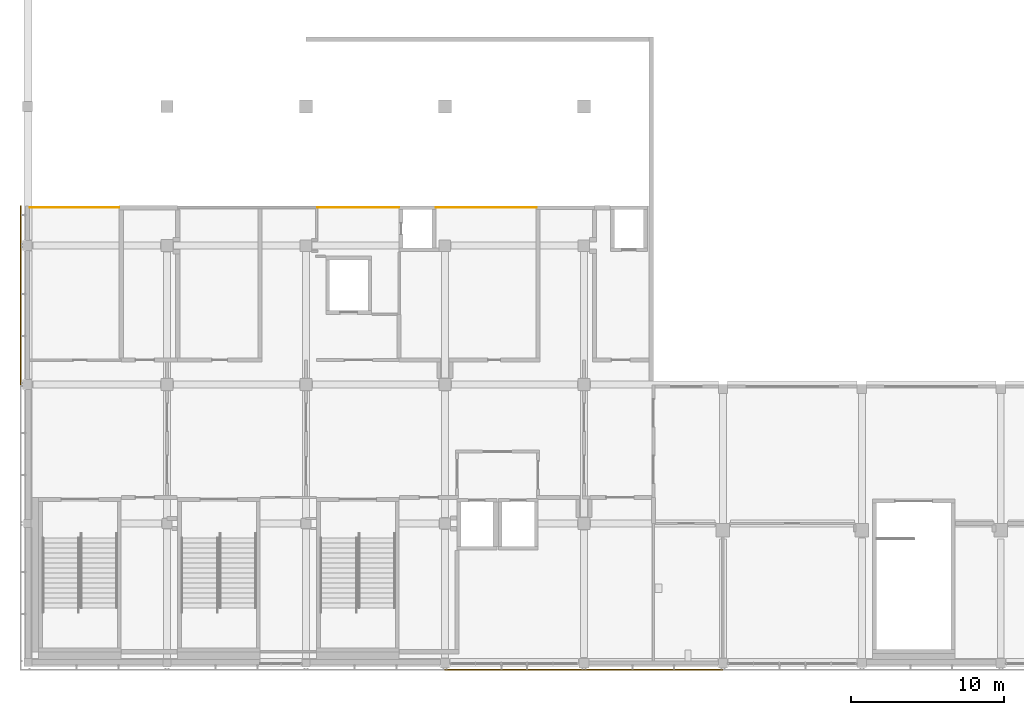
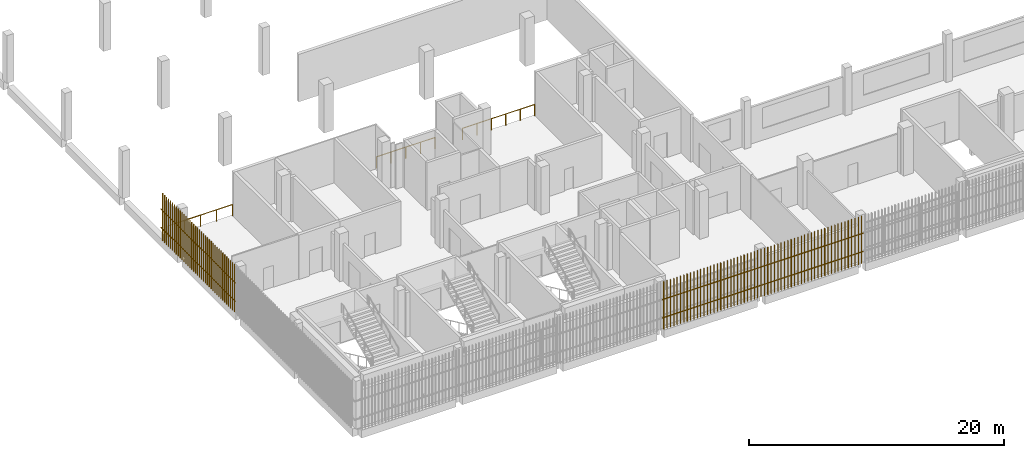
# One storey, part 89 of 104: 4 shading devices, 3 railings.
"""IFC4 building model written with IfcOpenShell, lengths in metres."""

from ifc_helpers import new_model, si_unit, direction, frame, origin, origin_2d, place, context, subcontext, project, spatial, rectangle, circle, extrude, material, type_object, element, save


model = new_model("IFC4")

# Units and contexts
model_context = context("Model", 3, precision=1e-05, world=origin(), true_north=direction((0.0, 1.0)))
body_context = subcontext(model_context, "Body", "Model", "MODEL_VIEW")
ifc_project = project(units=[si_unit("LENGTHUNIT", "METRE"), si_unit("AREAUNIT", "SQUARE_METRE"), si_unit("VOLUMEUNIT", "CUBIC_METRE"), si_unit("PLANEANGLEUNIT", "RADIAN"), si_unit("MASSUNIT", "GRAM", prefix="KILO")], contexts=[model_context])

# Site, building, storey
site_placement = place(None, origin())
site = spatial("IfcSite", under=ifc_project, at=site_placement, CompositionType="ELEMENT")
building_placement = place(site_placement, origin())
building = spatial("IfcBuilding", under=site, at=building_placement, Name="Shirokan Park Arena", CompositionType="ELEMENT")
storey_placement = place(building_placement, frame((0.0, 0.0, 10.919921875)))
storey = spatial("IfcBuildingStorey", under=building, at=storey_placement, Name="L02", CompositionType="ELEMENT", Elevation=10.919921875)

# Railings
ifc_material_1 = material(Name="Stainless steel", Category="steel")
railing_type = type_object("IfcRailingType", Name="Concourse edge guard 1100", PredefinedType="GUARDRAIL", material=ifc_material_1)
railing_1_placement = place(storey_placement, frame((0.1298828125, 29.800048828125, 0.0)))
element("IfcRailing", 1, at=railing_1_placement, inside=storey, type_object=railing_type, Name="Edge guard L02 1", PredefinedType="GUARDRAIL", context=body_context, shape_type="SweptSolid", body=[
    extrude(circle(Radius=0.02490234375, at=origin_2d()), frame((0.0, 0.0, 1.0771484375), z_axis=(1.0, 0.0, 0.0), x_axis=(0.0, 1.0, 0.0)), (0.0, 0.0, 1.0), 5.83251953125),
    extrude(circle(Radius=0.02490234375, at=origin_2d()), origin(), (0.0, 0.0, 1.0), 1.052001953125),
    extrude(circle(Radius=0.02490234375, at=origin_2d()), frame((1.4580078125, 0.0, 0.0)), (0.0, 0.0, 1.0), 1.052001953125),
    extrude(circle(Radius=0.02490234375, at=origin_2d()), frame((2.916259765625, 0.0, 0.0)), (0.0, 0.0, 1.0), 1.052001953125),
    extrude(circle(Radius=0.02490234375, at=origin_2d()), frame((4.37451171875, 0.0, 0.0)), (0.0, 0.0, 1.0), 1.052001953125),
    extrude(circle(Radius=0.02490234375, at=origin_2d()), frame((5.83251953125, 0.0, 0.0)), (0.0, 0.0, 1.0), 1.052001953125),
])
railing_2_placement = place(storey_placement, frame((18.96240234375, 29.800048828125, 0.0)))
element("IfcRailing", 2, at=railing_2_placement, inside=storey, type_object=railing_type, Name="Edge guard L02 2", PredefinedType="GUARDRAIL", context=body_context, shape_type="SweptSolid", body=[
    extrude(circle(Radius=0.02490234375, at=origin_2d()), frame((0.0, 0.0, 1.0771484375), z_axis=(1.0, 0.0, 0.0), x_axis=(0.0, 1.0, 0.0)), (0.0, 0.0, 1.0), 5.3076171875),
    extrude(circle(Radius=0.02490234375, at=origin_2d()), origin(), (0.0, 0.0, 1.0), 1.052001953125),
    extrude(circle(Radius=0.02490234375, at=origin_2d()), frame((1.326904296875, 0.0, 0.0)), (0.0, 0.0, 1.0), 1.052001953125),
    extrude(circle(Radius=0.02490234375, at=origin_2d()), frame((2.65380859375, 0.0, 0.0)), (0.0, 0.0, 1.0), 1.052001953125),
    extrude(circle(Radius=0.02490234375, at=origin_2d()), frame((3.980712890625, 0.0, 0.0)), (0.0, 0.0, 1.0), 1.052001953125),
    extrude(circle(Radius=0.02490234375, at=origin_2d()), frame((5.3076171875, 0.0, 0.0)), (0.0, 0.0, 1.0), 1.052001953125),
])
railing_3_placement = place(storey_placement, frame((26.72998046875, 29.800048828125, 0.0)))
element("IfcRailing", 3, at=railing_3_placement, inside=storey, type_object=railing_type, Name="Edge guard L02 4", PredefinedType="GUARDRAIL", context=body_context, shape_type="SweptSolid", body=[
    extrude(circle(Radius=0.02490234375, at=origin_2d()), frame((0.0, 0.0, 1.0771484375), z_axis=(1.0, 0.0, 0.0), x_axis=(0.0, 1.0, 0.0)), (0.0, 0.0, 1.0), 6.544921875),
    extrude(circle(Radius=0.02490234375, at=origin_2d()), origin(), (0.0, 0.0, 1.0), 1.052001953125),
    extrude(circle(Radius=0.02490234375, at=origin_2d()), frame((1.30908203125, 0.0, 0.0)), (0.0, 0.0, 1.0), 1.052001953125),
    extrude(circle(Radius=0.02490234375, at=origin_2d()), frame((2.617919921875, 0.0, 0.0)), (0.0, 0.0, 1.0), 1.052001953125),
    extrude(circle(Radius=0.02490234375, at=origin_2d()), frame((3.927001953125, 0.0, 0.0)), (0.0, 0.0, 1.0), 1.052001953125),
    extrude(circle(Radius=0.02490234375, at=origin_2d()), frame((5.23583984375, 0.0, 0.0)), (0.0, 0.0, 1.0), 1.052001953125),
    extrude(circle(Radius=0.02490234375, at=origin_2d()), frame((6.544921875, 0.0, 0.0)), (0.0, 0.0, 1.0), 1.052001953125),
])

# Shading devices
ifc_material_2 = material(Name="Timber louvre veil (cedar)", Category="wood")
shading_device_type = type_object("IfcShadingDeviceType", Name="Timber louvre veil panel", PredefinedType="JALOUSIE", material=ifc_material_2)
shading_device_1_placement = place(storey_placement, origin())
element("IfcShadingDevice", 4, at=shading_device_1_placement, inside=storey, type_object=shading_device_type, Name="Timber louvre veil south bay 4 L02", PredefinedType="JALOUSIE", context=body_context, shape_type="SweptSolid", body=[
    extrude(rectangle(XDim=0.050048828125, YDim=0.080078125, at=origin_2d()), frame((27.45166015625, -0.485107421875, 0.0), z_axis=(0.0, 0.0, 1.0), x_axis=(1.0, 0.0, 0.0)), (0.0, 0.0, 1.0), 4.550048828125),
    extrude(rectangle(XDim=0.050048828125, YDim=0.080078125, at=origin_2d()), frame((27.7548828125, -0.485107421875, 0.0), z_axis=(0.0, 0.0, 1.0), x_axis=(1.0, 0.0, 0.0)), (0.0, 0.0, 1.0), 4.550048828125),
    extrude(rectangle(XDim=0.050048828125, YDim=0.080078125, at=origin_2d()), frame((28.058349609375, -0.485107421875, 0.0), z_axis=(0.0, 0.0, 1.0), x_axis=(1.0, 0.0, 0.0)), (0.0, 0.0, 1.0), 4.550048828125),
    extrude(rectangle(XDim=0.050048828125, YDim=0.080078125, at=origin_2d()), frame((28.361572265625, -0.485107421875, 0.0), z_axis=(0.0, 0.0, 1.0), x_axis=(1.0, 0.0, 0.0)), (0.0, 0.0, 1.0), 4.550048828125),
    extrude(rectangle(XDim=0.050048828125, YDim=0.080078125, at=origin_2d()), frame((28.6650390625, -0.485107421875, 0.0), z_axis=(0.0, 0.0, 1.0), x_axis=(1.0, 0.0, 0.0)), (0.0, 0.0, 1.0), 4.550048828125),
    extrude(rectangle(XDim=0.050048828125, YDim=0.080078125, at=origin_2d()), frame((28.96826171875, -0.485107421875, 0.0), z_axis=(0.0, 0.0, 1.0), x_axis=(1.0, 0.0, 0.0)), (0.0, 0.0, 1.0), 4.550048828125),
    extrude(rectangle(XDim=0.050048828125, YDim=0.080078125, at=origin_2d()), frame((29.271728515625, -0.485107421875, 0.0), z_axis=(0.0, 0.0, 1.0), x_axis=(1.0, 0.0, 0.0)), (0.0, 0.0, 1.0), 4.550048828125),
    extrude(rectangle(XDim=0.050048828125, YDim=0.080078125, at=origin_2d()), frame((29.574951171875, -0.485107421875, 0.0), z_axis=(0.0, 0.0, 1.0), x_axis=(1.0, 0.0, 0.0)), (0.0, 0.0, 1.0), 4.550048828125),
    extrude(rectangle(XDim=0.050048828125, YDim=0.080078125, at=origin_2d()), frame((29.87841796875, -0.485107421875, 0.0), z_axis=(0.0, 0.0, 1.0), x_axis=(1.0, 0.0, 0.0)), (0.0, 0.0, 1.0), 4.550048828125),
    extrude(rectangle(XDim=0.050048828125, YDim=0.080078125, at=origin_2d()), frame((30.181640625, -0.485107421875, 0.0), z_axis=(0.0, 0.0, 1.0), x_axis=(1.0, 0.0, 0.0)), (0.0, 0.0, 1.0), 4.550048828125),
    extrude(rectangle(XDim=0.050048828125, YDim=0.080078125, at=origin_2d()), frame((30.485107421875, -0.485107421875, 0.0), z_axis=(0.0, 0.0, 1.0), x_axis=(1.0, 0.0, 0.0)), (0.0, 0.0, 1.0), 4.550048828125),
    extrude(rectangle(XDim=0.050048828125, YDim=0.080078125, at=origin_2d()), frame((30.788330078125, -0.485107421875, 0.0), z_axis=(0.0, 0.0, 1.0), x_axis=(1.0, 0.0, 0.0)), (0.0, 0.0, 1.0), 4.550048828125),
    extrude(rectangle(XDim=0.050048828125, YDim=0.080078125, at=origin_2d()), frame((31.091552734375, -0.485107421875, 0.0), z_axis=(0.0, 0.0, 1.0), x_axis=(1.0, 0.0, 0.0)), (0.0, 0.0, 1.0), 4.550048828125),
    extrude(rectangle(XDim=0.050048828125, YDim=0.080078125, at=origin_2d()), frame((31.39501953125, -0.485107421875, 0.0), z_axis=(0.0, 0.0, 1.0), x_axis=(1.0, 0.0, 0.0)), (0.0, 0.0, 1.0), 4.550048828125),
    extrude(rectangle(XDim=0.050048828125, YDim=0.080078125, at=origin_2d()), frame((31.6982421875, -0.485107421875, 0.0), z_axis=(0.0, 0.0, 1.0), x_axis=(1.0, 0.0, 0.0)), (0.0, 0.0, 1.0), 4.550048828125),
    extrude(rectangle(XDim=0.050048828125, YDim=0.080078125, at=origin_2d()), frame((32.001708984375, -0.485107421875, 0.0), z_axis=(0.0, 0.0, 1.0), x_axis=(1.0, 0.0, 0.0)), (0.0, 0.0, 1.0), 4.550048828125),
    extrude(rectangle(XDim=0.050048828125, YDim=0.080078125, at=origin_2d()), frame((32.304931640625, -0.485107421875, 0.0), z_axis=(0.0, 0.0, 1.0), x_axis=(1.0, 0.0, 0.0)), (0.0, 0.0, 1.0), 4.550048828125),
    extrude(rectangle(XDim=0.050048828125, YDim=0.080078125, at=origin_2d()), frame((32.6083984375, -0.485107421875, 0.0), z_axis=(0.0, 0.0, 1.0), x_axis=(1.0, 0.0, 0.0)), (0.0, 0.0, 1.0), 4.550048828125),
    extrude(rectangle(XDim=0.050048828125, YDim=0.080078125, at=origin_2d()), frame((32.91162109375, -0.485107421875, 0.0), z_axis=(0.0, 0.0, 1.0), x_axis=(1.0, 0.0, 0.0)), (0.0, 0.0, 1.0), 4.550048828125),
    extrude(rectangle(XDim=0.050048828125, YDim=0.080078125, at=origin_2d()), frame((33.215087890625, -0.485107421875, 0.0), z_axis=(0.0, 0.0, 1.0), x_axis=(1.0, 0.0, 0.0)), (0.0, 0.0, 1.0), 4.550048828125),
    extrude(rectangle(XDim=0.050048828125, YDim=0.080078125, at=origin_2d()), frame((33.518310546875, -0.485107421875, 0.0), z_axis=(0.0, 0.0, 1.0), x_axis=(1.0, 0.0, 0.0)), (0.0, 0.0, 1.0), 4.550048828125),
    extrude(rectangle(XDim=0.050048828125, YDim=0.080078125, at=origin_2d()), frame((33.82177734375, -0.485107421875, 0.0), z_axis=(0.0, 0.0, 1.0), x_axis=(1.0, 0.0, 0.0)), (0.0, 0.0, 1.0), 4.550048828125),
    extrude(rectangle(XDim=0.050048828125, YDim=0.080078125, at=origin_2d()), frame((34.125, -0.485107421875, 0.0), z_axis=(0.0, 0.0, 1.0), x_axis=(1.0, 0.0, 0.0)), (0.0, 0.0, 1.0), 4.550048828125),
    extrude(rectangle(XDim=0.050048828125, YDim=0.080078125, at=origin_2d()), frame((34.42822265625, -0.485107421875, 0.0), z_axis=(0.0, 0.0, 1.0), x_axis=(1.0, 0.0, 0.0)), (0.0, 0.0, 1.0), 4.550048828125),
    extrude(rectangle(XDim=0.050048828125, YDim=0.080078125, at=origin_2d()), frame((34.731689453125, -0.485107421875, 0.0), z_axis=(0.0, 0.0, 1.0), x_axis=(1.0, 0.0, 0.0)), (0.0, 0.0, 1.0), 4.550048828125),
    extrude(rectangle(XDim=0.050048828125, YDim=0.080078125, at=origin_2d()), frame((35.034912109375, -0.485107421875, 0.0), z_axis=(0.0, 0.0, 1.0), x_axis=(1.0, 0.0, 0.0)), (0.0, 0.0, 1.0), 4.550048828125),
    extrude(rectangle(XDim=0.050048828125, YDim=0.080078125, at=origin_2d()), frame((35.33837890625, -0.485107421875, 0.0), z_axis=(0.0, 0.0, 1.0), x_axis=(1.0, 0.0, 0.0)), (0.0, 0.0, 1.0), 4.550048828125),
    extrude(rectangle(XDim=0.050048828125, YDim=0.080078125, at=origin_2d()), frame((35.6416015625, -0.485107421875, 0.0), z_axis=(0.0, 0.0, 1.0), x_axis=(1.0, 0.0, 0.0)), (0.0, 0.0, 1.0), 4.550048828125),
    extrude(rectangle(XDim=0.050048828125, YDim=0.080078125, at=origin_2d()), frame((35.945068359375, -0.485107421875, 0.0), z_axis=(0.0, 0.0, 1.0), x_axis=(1.0, 0.0, 0.0)), (0.0, 0.0, 1.0), 4.550048828125),
    extrude(rectangle(XDim=0.050048828125, YDim=0.080078125, at=origin_2d()), frame((36.248291015625, -0.485107421875, 0.0), z_axis=(0.0, 0.0, 1.0), x_axis=(1.0, 0.0, 0.0)), (0.0, 0.0, 1.0), 4.550048828125),
    extrude(rectangle(XDim=9.10009765625, YDim=0.050048828125, at=origin_2d()), frame((31.85009765625, -0.469970703125, 1.06005859375), z_axis=(0.0, 0.0, 1.0), x_axis=(1.0, 0.0, 0.0)), (0.0, 0.0, 1.0), 0.080078125),
    extrude(rectangle(XDim=9.10009765625, YDim=0.050048828125, at=origin_2d()), frame((31.85009765625, -0.469970703125, 2.81005859375), z_axis=(0.0, 0.0, 1.0), x_axis=(1.0, 0.0, 0.0)), (0.0, 0.0, 1.0), 0.080078125),
])
shading_device_2_placement = place(storey_placement, origin())
element("IfcShadingDevice", 5, at=shading_device_2_placement, inside=storey, type_object=shading_device_type, Name="Timber louvre veil south bay 5 L02", PredefinedType="JALOUSIE", context=body_context, shape_type="SweptSolid", body=[
    extrude(rectangle(XDim=0.050048828125, YDim=0.080078125, at=origin_2d()), frame((36.5517578125, -0.485107421875, 0.0), z_axis=(0.0, 0.0, 1.0), x_axis=(1.0, 0.0, 0.0)), (0.0, 0.0, 1.0), 4.550048828125),
    extrude(rectangle(XDim=0.050048828125, YDim=0.080078125, at=origin_2d()), frame((36.85498046875, -0.485107421875, 0.0), z_axis=(0.0, 0.0, 1.0), x_axis=(1.0, 0.0, 0.0)), (0.0, 0.0, 1.0), 4.550048828125),
    extrude(rectangle(XDim=0.050048828125, YDim=0.080078125, at=origin_2d()), frame((37.158447265625, -0.485107421875, 0.0), z_axis=(0.0, 0.0, 1.0), x_axis=(1.0, 0.0, 0.0)), (0.0, 0.0, 1.0), 4.550048828125),
    extrude(rectangle(XDim=0.050048828125, YDim=0.080078125, at=origin_2d()), frame((37.461669921875, -0.485107421875, 0.0), z_axis=(0.0, 0.0, 1.0), x_axis=(1.0, 0.0, 0.0)), (0.0, 0.0, 1.0), 4.550048828125),
    extrude(rectangle(XDim=0.050048828125, YDim=0.080078125, at=origin_2d()), frame((37.764892578125, -0.485107421875, 0.0), z_axis=(0.0, 0.0, 1.0), x_axis=(1.0, 0.0, 0.0)), (0.0, 0.0, 1.0), 4.550048828125),
    extrude(rectangle(XDim=0.050048828125, YDim=0.080078125, at=origin_2d()), frame((38.068359375, -0.485107421875, 0.0), z_axis=(0.0, 0.0, 1.0), x_axis=(1.0, 0.0, 0.0)), (0.0, 0.0, 1.0), 4.550048828125),
    extrude(rectangle(XDim=0.050048828125, YDim=0.080078125, at=origin_2d()), frame((38.37158203125, -0.485107421875, 0.0), z_axis=(0.0, 0.0, 1.0), x_axis=(1.0, 0.0, 0.0)), (0.0, 0.0, 1.0), 4.550048828125),
    extrude(rectangle(XDim=0.050048828125, YDim=0.080078125, at=origin_2d()), frame((38.675048828125, -0.485107421875, 0.0), z_axis=(0.0, 0.0, 1.0), x_axis=(1.0, 0.0, 0.0)), (0.0, 0.0, 1.0), 4.550048828125),
    extrude(rectangle(XDim=0.050048828125, YDim=0.080078125, at=origin_2d()), frame((38.978271484375, -0.485107421875, 0.0), z_axis=(0.0, 0.0, 1.0), x_axis=(1.0, 0.0, 0.0)), (0.0, 0.0, 1.0), 4.550048828125),
    extrude(rectangle(XDim=0.050048828125, YDim=0.080078125, at=origin_2d()), frame((39.28173828125, -0.485107421875, 0.0), z_axis=(0.0, 0.0, 1.0), x_axis=(1.0, 0.0, 0.0)), (0.0, 0.0, 1.0), 4.550048828125),
    extrude(rectangle(XDim=0.050048828125, YDim=0.080078125, at=origin_2d()), frame((39.5849609375, -0.485107421875, 0.0), z_axis=(0.0, 0.0, 1.0), x_axis=(1.0, 0.0, 0.0)), (0.0, 0.0, 1.0), 4.550048828125),
    extrude(rectangle(XDim=0.050048828125, YDim=0.080078125, at=origin_2d()), frame((39.888427734375, -0.485107421875, 0.0), z_axis=(0.0, 0.0, 1.0), x_axis=(1.0, 0.0, 0.0)), (0.0, 0.0, 1.0), 4.550048828125),
    extrude(rectangle(XDim=0.050048828125, YDim=0.080078125, at=origin_2d()), frame((40.191650390625, -0.485107421875, 0.0), z_axis=(0.0, 0.0, 1.0), x_axis=(1.0, 0.0, 0.0)), (0.0, 0.0, 1.0), 4.550048828125),
    extrude(rectangle(XDim=0.050048828125, YDim=0.080078125, at=origin_2d()), frame((40.4951171875, -0.485107421875, 0.0), z_axis=(0.0, 0.0, 1.0), x_axis=(1.0, 0.0, 0.0)), (0.0, 0.0, 1.0), 4.550048828125),
    extrude(rectangle(XDim=0.050048828125, YDim=0.080078125, at=origin_2d()), frame((40.79833984375, -0.485107421875, 0.0), z_axis=(0.0, 0.0, 1.0), x_axis=(1.0, 0.0, 0.0)), (0.0, 0.0, 1.0), 4.550048828125),
    extrude(rectangle(XDim=0.050048828125, YDim=0.080078125, at=origin_2d()), frame((41.1015625, -0.485107421875, 0.0), z_axis=(0.0, 0.0, 1.0), x_axis=(1.0, 0.0, 0.0)), (0.0, 0.0, 1.0), 4.550048828125),
    extrude(rectangle(XDim=0.050048828125, YDim=0.080078125, at=origin_2d()), frame((41.405029296875, -0.485107421875, 0.0), z_axis=(0.0, 0.0, 1.0), x_axis=(1.0, 0.0, 0.0)), (0.0, 0.0, 1.0), 4.550048828125),
    extrude(rectangle(XDim=0.050048828125, YDim=0.080078125, at=origin_2d()), frame((41.708251953125, -0.485107421875, 0.0), z_axis=(0.0, 0.0, 1.0), x_axis=(1.0, 0.0, 0.0)), (0.0, 0.0, 1.0), 4.550048828125),
    extrude(rectangle(XDim=0.050048828125, YDim=0.080078125, at=origin_2d()), frame((42.01171875, -0.485107421875, 0.0), z_axis=(0.0, 0.0, 1.0), x_axis=(1.0, 0.0, 0.0)), (0.0, 0.0, 1.0), 4.550048828125),
    extrude(rectangle(XDim=0.050048828125, YDim=0.080078125, at=origin_2d()), frame((42.31494140625, -0.485107421875, 0.0), z_axis=(0.0, 0.0, 1.0), x_axis=(1.0, 0.0, 0.0)), (0.0, 0.0, 1.0), 4.550048828125),
    extrude(rectangle(XDim=0.050048828125, YDim=0.080078125, at=origin_2d()), frame((42.618408203125, -0.485107421875, 0.0), z_axis=(0.0, 0.0, 1.0), x_axis=(1.0, 0.0, 0.0)), (0.0, 0.0, 1.0), 4.550048828125),
    extrude(rectangle(XDim=0.050048828125, YDim=0.080078125, at=origin_2d()), frame((42.921630859375, -0.485107421875, 0.0), z_axis=(0.0, 0.0, 1.0), x_axis=(1.0, 0.0, 0.0)), (0.0, 0.0, 1.0), 4.550048828125),
    extrude(rectangle(XDim=0.050048828125, YDim=0.080078125, at=origin_2d()), frame((43.22509765625, -0.485107421875, 0.0), z_axis=(0.0, 0.0, 1.0), x_axis=(1.0, 0.0, 0.0)), (0.0, 0.0, 1.0), 4.550048828125),
    extrude(rectangle(XDim=0.050048828125, YDim=0.080078125, at=origin_2d()), frame((43.5283203125, -0.485107421875, 0.0), z_axis=(0.0, 0.0, 1.0), x_axis=(1.0, 0.0, 0.0)), (0.0, 0.0, 1.0), 4.550048828125),
    extrude(rectangle(XDim=0.050048828125, YDim=0.080078125, at=origin_2d()), frame((43.831787109375, -0.485107421875, 0.0), z_axis=(0.0, 0.0, 1.0), x_axis=(1.0, 0.0, 0.0)), (0.0, 0.0, 1.0), 4.550048828125),
    extrude(rectangle(XDim=0.050048828125, YDim=0.080078125, at=origin_2d()), frame((44.135009765625, -0.485107421875, 0.0), z_axis=(0.0, 0.0, 1.0), x_axis=(1.0, 0.0, 0.0)), (0.0, 0.0, 1.0), 4.550048828125),
    extrude(rectangle(XDim=0.050048828125, YDim=0.080078125, at=origin_2d()), frame((44.438232421875, -0.485107421875, 0.0), z_axis=(0.0, 0.0, 1.0), x_axis=(1.0, 0.0, 0.0)), (0.0, 0.0, 1.0), 4.550048828125),
    extrude(rectangle(XDim=0.050048828125, YDim=0.080078125, at=origin_2d()), frame((44.74169921875, -0.485107421875, 0.0), z_axis=(0.0, 0.0, 1.0), x_axis=(1.0, 0.0, 0.0)), (0.0, 0.0, 1.0), 4.550048828125),
    extrude(rectangle(XDim=0.050048828125, YDim=0.080078125, at=origin_2d()), frame((45.044921875, -0.485107421875, 0.0), z_axis=(0.0, 0.0, 1.0), x_axis=(1.0, 0.0, 0.0)), (0.0, 0.0, 1.0), 4.550048828125),
    extrude(rectangle(XDim=0.050048828125, YDim=0.080078125, at=origin_2d()), frame((45.348388671875, -0.485107421875, 0.0), z_axis=(0.0, 0.0, 1.0), x_axis=(1.0, 0.0, 0.0)), (0.0, 0.0, 1.0), 4.550048828125),
    extrude(rectangle(XDim=9.10009765625, YDim=0.050048828125, at=origin_2d()), frame((40.949951171875, -0.469970703125, 1.06005859375), z_axis=(0.0, 0.0, 1.0), x_axis=(1.0, 0.0, 0.0)), (0.0, 0.0, 1.0), 0.080078125),
    extrude(rectangle(XDim=9.10009765625, YDim=0.050048828125, at=origin_2d()), frame((40.949951171875, -0.469970703125, 2.81005859375), z_axis=(0.0, 0.0, 1.0), x_axis=(1.0, 0.0, 0.0)), (0.0, 0.0, 1.0), 0.080078125),
])
shading_device_3_placement = place(storey_placement, origin())
element("IfcShadingDevice", 6, at=shading_device_3_placement, inside=storey, type_object=shading_device_type, Name="Timber louvre veil west bay 9 L02", PredefinedType="JALOUSIE", context=body_context, shape_type="SweptSolid", body=[
    extrude(rectangle(XDim=0.050048828125, YDim=0.080078125, at=origin_2d()), frame((-0.485107421875, 29.574951171875, 0.0), z_axis=(0.0, 0.0, 1.0), x_axis=(0.0, -1.0, 0.0)), (0.0, 0.0, 1.0), 4.550048828125),
    extrude(rectangle(XDim=0.050048828125, YDim=0.080078125, at=origin_2d()), frame((-0.485107421875, 29.271728515625, 0.0), z_axis=(0.0, 0.0, 1.0), x_axis=(0.0, -1.0, 0.0)), (0.0, 0.0, 1.0), 4.550048828125),
    extrude(rectangle(XDim=0.050048828125, YDim=0.080078125, at=origin_2d()), frame((-0.485107421875, 28.96826171875, 0.0), z_axis=(0.0, 0.0, 1.0), x_axis=(0.0, -1.0, 0.0)), (0.0, 0.0, 1.0), 4.550048828125),
    extrude(rectangle(XDim=0.050048828125, YDim=0.080078125, at=origin_2d()), frame((-0.485107421875, 28.6650390625, 0.0), z_axis=(0.0, 0.0, 1.0), x_axis=(0.0, -1.0, 0.0)), (0.0, 0.0, 1.0), 4.550048828125),
    extrude(rectangle(XDim=0.050048828125, YDim=0.080078125, at=origin_2d()), frame((-0.485107421875, 28.361572265625, 0.0), z_axis=(0.0, 0.0, 1.0), x_axis=(0.0, -1.0, 0.0)), (0.0, 0.0, 1.0), 4.550048828125),
    extrude(rectangle(XDim=0.050048828125, YDim=0.080078125, at=origin_2d()), frame((-0.485107421875, 28.058349609375, 0.0), z_axis=(0.0, 0.0, 1.0), x_axis=(0.0, -1.0, 0.0)), (0.0, 0.0, 1.0), 4.550048828125),
    extrude(rectangle(XDim=0.050048828125, YDim=0.080078125, at=origin_2d()), frame((-0.485107421875, 27.7548828125, 0.0), z_axis=(0.0, 0.0, 1.0), x_axis=(0.0, -1.0, 0.0)), (0.0, 0.0, 1.0), 4.550048828125),
    extrude(rectangle(XDim=0.050048828125, YDim=0.080078125, at=origin_2d()), frame((-0.485107421875, 27.45166015625, 0.0), z_axis=(0.0, 0.0, 1.0), x_axis=(0.0, -1.0, 0.0)), (0.0, 0.0, 1.0), 4.550048828125),
    extrude(rectangle(XDim=2.60009765625, YDim=0.050048828125, at=origin_2d()), frame((-0.469970703125, 28.60009765625, 1.06005859375), z_axis=(0.0, 0.0, 1.0), x_axis=(0.0, -1.0, 0.0)), (0.0, 0.0, 1.0), 0.080078125),
    extrude(rectangle(XDim=2.60009765625, YDim=0.050048828125, at=origin_2d()), frame((-0.469970703125, 28.60009765625, 2.81005859375), z_axis=(0.0, 0.0, 1.0), x_axis=(0.0, -1.0, 0.0)), (0.0, 0.0, 1.0), 0.080078125),
])
shading_device_4_placement = place(storey_placement, origin())
element("IfcShadingDevice", 7, at=shading_device_4_placement, inside=storey, type_object=shading_device_type, Name="Timber louvre veil west bay 10 L02", PredefinedType="JALOUSIE", context=body_context, shape_type="SweptSolid", body=[
    extrude(rectangle(XDim=0.050048828125, YDim=0.080078125, at=origin_2d()), frame((-0.485107421875, 27.1484375, 0.0), z_axis=(0.0, 0.0, 1.0), x_axis=(0.0, -1.0, 0.0)), (0.0, 0.0, 1.0), 4.550048828125),
    extrude(rectangle(XDim=0.050048828125, YDim=0.080078125, at=origin_2d()), frame((-0.485107421875, 26.844970703125, 0.0), z_axis=(0.0, 0.0, 1.0), x_axis=(0.0, -1.0, 0.0)), (0.0, 0.0, 1.0), 4.550048828125),
    extrude(rectangle(XDim=0.050048828125, YDim=0.080078125, at=origin_2d()), frame((-0.485107421875, 26.541748046875, 0.0), z_axis=(0.0, 0.0, 1.0), x_axis=(0.0, -1.0, 0.0)), (0.0, 0.0, 1.0), 4.550048828125),
    extrude(rectangle(XDim=0.050048828125, YDim=0.080078125, at=origin_2d()), frame((-0.485107421875, 26.23828125, 0.0), z_axis=(0.0, 0.0, 1.0), x_axis=(0.0, -1.0, 0.0)), (0.0, 0.0, 1.0), 4.550048828125),
    extrude(rectangle(XDim=0.050048828125, YDim=0.080078125, at=origin_2d()), frame((-0.485107421875, 25.93505859375, 0.0), z_axis=(0.0, 0.0, 1.0), x_axis=(0.0, -1.0, 0.0)), (0.0, 0.0, 1.0), 4.550048828125),
    extrude(rectangle(XDim=0.050048828125, YDim=0.080078125, at=origin_2d()), frame((-0.485107421875, 25.631591796875, 0.0), z_axis=(0.0, 0.0, 1.0), x_axis=(0.0, -1.0, 0.0)), (0.0, 0.0, 1.0), 4.550048828125),
    extrude(rectangle(XDim=0.050048828125, YDim=0.080078125, at=origin_2d()), frame((-0.485107421875, 25.328369140625, 0.0), z_axis=(0.0, 0.0, 1.0), x_axis=(0.0, -1.0, 0.0)), (0.0, 0.0, 1.0), 4.550048828125),
    extrude(rectangle(XDim=0.050048828125, YDim=0.080078125, at=origin_2d()), frame((-0.485107421875, 25.02490234375, 0.0), z_axis=(0.0, 0.0, 1.0), x_axis=(0.0, -1.0, 0.0)), (0.0, 0.0, 1.0), 4.550048828125),
    extrude(rectangle(XDim=0.050048828125, YDim=0.080078125, at=origin_2d()), frame((-0.485107421875, 24.7216796875, 0.0), z_axis=(0.0, 0.0, 1.0), x_axis=(0.0, -1.0, 0.0)), (0.0, 0.0, 1.0), 4.550048828125),
    extrude(rectangle(XDim=0.050048828125, YDim=0.080078125, at=origin_2d()), frame((-0.485107421875, 24.418212890625, 0.0), z_axis=(0.0, 0.0, 1.0), x_axis=(0.0, -1.0, 0.0)), (0.0, 0.0, 1.0), 4.550048828125),
    extrude(rectangle(XDim=0.050048828125, YDim=0.080078125, at=origin_2d()), frame((-0.485107421875, 24.114990234375, 0.0), z_axis=(0.0, 0.0, 1.0), x_axis=(0.0, -1.0, 0.0)), (0.0, 0.0, 1.0), 4.550048828125),
    extrude(rectangle(XDim=0.050048828125, YDim=0.080078125, at=origin_2d()), frame((-0.485107421875, 23.811767578125, 0.0), z_axis=(0.0, 0.0, 1.0), x_axis=(0.0, -1.0, 0.0)), (0.0, 0.0, 1.0), 4.550048828125),
    extrude(rectangle(XDim=0.050048828125, YDim=0.080078125, at=origin_2d()), frame((-0.485107421875, 23.50830078125, 0.0), z_axis=(0.0, 0.0, 1.0), x_axis=(0.0, -1.0, 0.0)), (0.0, 0.0, 1.0), 4.550048828125),
    extrude(rectangle(XDim=0.050048828125, YDim=0.080078125, at=origin_2d()), frame((-0.485107421875, 23.205078125, 0.0), z_axis=(0.0, 0.0, 1.0), x_axis=(0.0, -1.0, 0.0)), (0.0, 0.0, 1.0), 4.550048828125),
    extrude(rectangle(XDim=0.050048828125, YDim=0.080078125, at=origin_2d()), frame((-0.485107421875, 22.901611328125, 0.0), z_axis=(0.0, 0.0, 1.0), x_axis=(0.0, -1.0, 0.0)), (0.0, 0.0, 1.0), 4.550048828125),
    extrude(rectangle(XDim=0.050048828125, YDim=0.080078125, at=origin_2d()), frame((-0.485107421875, 22.598388671875, 0.0), z_axis=(0.0, 0.0, 1.0), x_axis=(0.0, -1.0, 0.0)), (0.0, 0.0, 1.0), 4.550048828125),
    extrude(rectangle(XDim=0.050048828125, YDim=0.080078125, at=origin_2d()), frame((-0.485107421875, 22.294921875, 0.0), z_axis=(0.0, 0.0, 1.0), x_axis=(0.0, -1.0, 0.0)), (0.0, 0.0, 1.0), 4.550048828125),
    extrude(rectangle(XDim=0.050048828125, YDim=0.080078125, at=origin_2d()), frame((-0.485107421875, 21.99169921875, 0.0), z_axis=(0.0, 0.0, 1.0), x_axis=(0.0, -1.0, 0.0)), (0.0, 0.0, 1.0), 4.550048828125),
    extrude(rectangle(XDim=0.050048828125, YDim=0.080078125, at=origin_2d()), frame((-0.485107421875, 21.688232421875, 0.0), z_axis=(0.0, 0.0, 1.0), x_axis=(0.0, -1.0, 0.0)), (0.0, 0.0, 1.0), 4.550048828125),
    extrude(rectangle(XDim=0.050048828125, YDim=0.080078125, at=origin_2d()), frame((-0.485107421875, 21.385009765625, 0.0), z_axis=(0.0, 0.0, 1.0), x_axis=(0.0, -1.0, 0.0)), (0.0, 0.0, 1.0), 4.550048828125),
    extrude(rectangle(XDim=0.050048828125, YDim=0.080078125, at=origin_2d()), frame((-0.485107421875, 21.081787109375, 0.0), z_axis=(0.0, 0.0, 1.0), x_axis=(0.0, -1.0, 0.0)), (0.0, 0.0, 1.0), 4.550048828125),
    extrude(rectangle(XDim=0.050048828125, YDim=0.080078125, at=origin_2d()), frame((-0.485107421875, 20.7783203125, 0.0), z_axis=(0.0, 0.0, 1.0), x_axis=(0.0, -1.0, 0.0)), (0.0, 0.0, 1.0), 4.550048828125),
    extrude(rectangle(XDim=0.050048828125, YDim=0.080078125, at=origin_2d()), frame((-0.485107421875, 20.47509765625, 0.0), z_axis=(0.0, 0.0, 1.0), x_axis=(0.0, -1.0, 0.0)), (0.0, 0.0, 1.0), 4.550048828125),
    extrude(rectangle(XDim=0.050048828125, YDim=0.080078125, at=origin_2d()), frame((-0.485107421875, 20.171630859375, 0.0), z_axis=(0.0, 0.0, 1.0), x_axis=(0.0, -1.0, 0.0)), (0.0, 0.0, 1.0), 4.550048828125),
    extrude(rectangle(XDim=0.050048828125, YDim=0.080078125, at=origin_2d()), frame((-0.485107421875, 19.868408203125, 0.0), z_axis=(0.0, 0.0, 1.0), x_axis=(0.0, -1.0, 0.0)), (0.0, 0.0, 1.0), 4.550048828125),
    extrude(rectangle(XDim=0.050048828125, YDim=0.080078125, at=origin_2d()), frame((-0.485107421875, 19.56494140625, 0.0), z_axis=(0.0, 0.0, 1.0), x_axis=(0.0, -1.0, 0.0)), (0.0, 0.0, 1.0), 4.550048828125),
    extrude(rectangle(XDim=0.050048828125, YDim=0.080078125, at=origin_2d()), frame((-0.485107421875, 19.26171875, 0.0), z_axis=(0.0, 0.0, 1.0), x_axis=(0.0, -1.0, 0.0)), (0.0, 0.0, 1.0), 4.550048828125),
    extrude(rectangle(XDim=0.050048828125, YDim=0.080078125, at=origin_2d()), frame((-0.485107421875, 18.958251953125, 0.0), z_axis=(0.0, 0.0, 1.0), x_axis=(0.0, -1.0, 0.0)), (0.0, 0.0, 1.0), 4.550048828125),
    extrude(rectangle(XDim=0.050048828125, YDim=0.080078125, at=origin_2d()), frame((-0.485107421875, 18.655029296875, 0.0), z_axis=(0.0, 0.0, 1.0), x_axis=(0.0, -1.0, 0.0)), (0.0, 0.0, 1.0), 4.550048828125),
    extrude(rectangle(XDim=0.050048828125, YDim=0.080078125, at=origin_2d()), frame((-0.485107421875, 18.3515625, 0.0), z_axis=(0.0, 0.0, 1.0), x_axis=(0.0, -1.0, 0.0)), (0.0, 0.0, 1.0), 4.550048828125),
    extrude(rectangle(XDim=9.10009765625, YDim=0.050048828125, at=origin_2d()), frame((-0.469970703125, 22.75, 1.06005859375), z_axis=(0.0, 0.0, 1.0), x_axis=(0.0, -1.0, 0.0)), (0.0, 0.0, 1.0), 0.080078125),
    extrude(rectangle(XDim=9.10009765625, YDim=0.050048828125, at=origin_2d()), frame((-0.469970703125, 22.75, 2.81005859375), z_axis=(0.0, 0.0, 1.0), x_axis=(0.0, -1.0, 0.0)), (0.0, 0.0, 1.0), 0.080078125),
])

save(model, "model.ifc")
